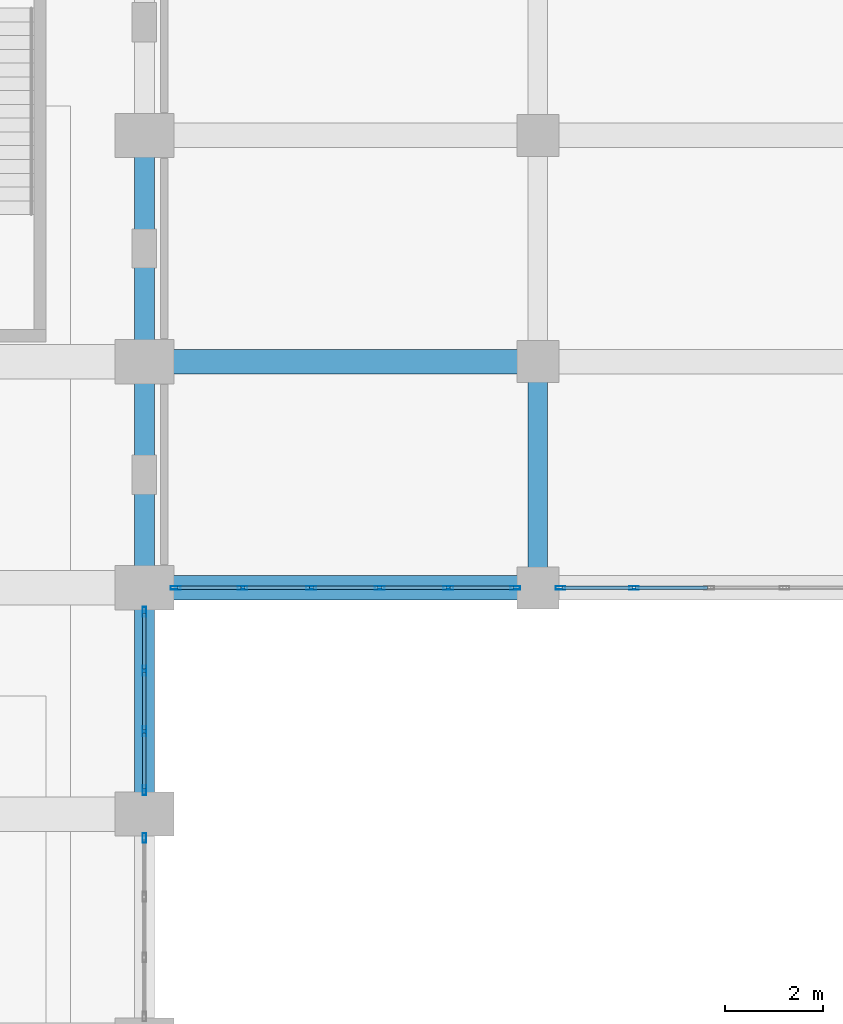
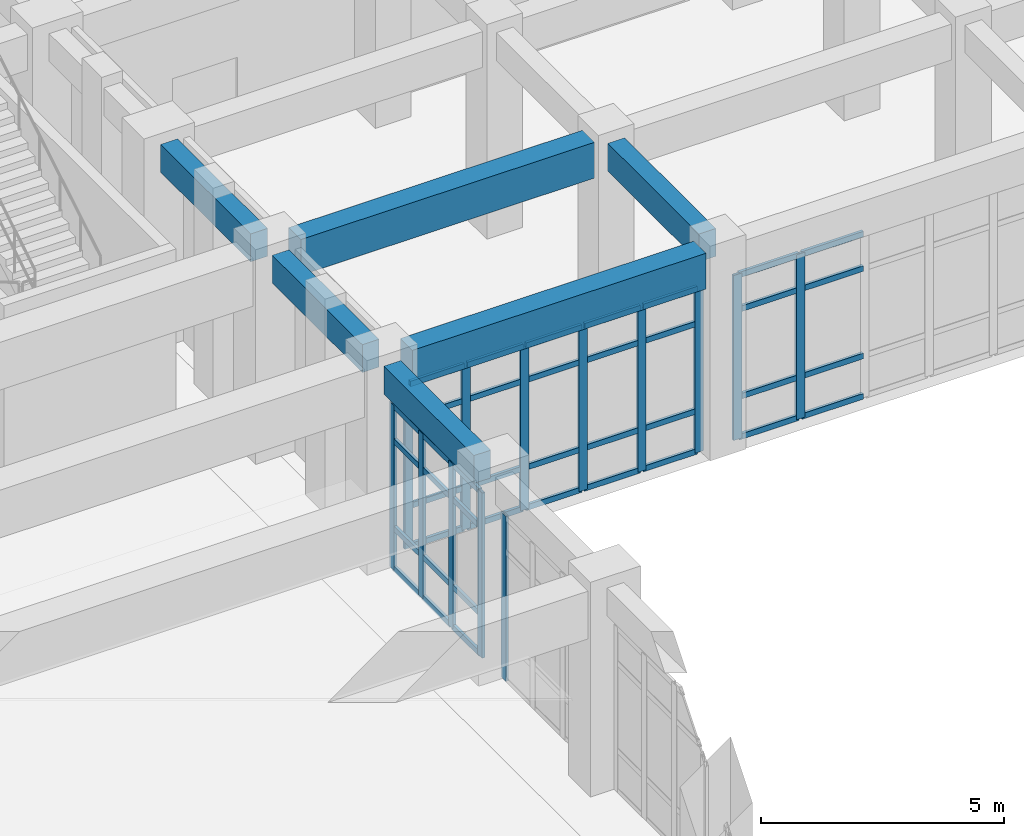
# One storey, part 42 of 84: 53 members, 6 beams, 4 elements without a shape of their own.
"""IFC4 building model written with IfcOpenShell, lengths in metres."""

from ifc_helpers import new_model, si_unit, direction, frame, origin, origin_2d, place, context, subcontext, project, spatial, rectangle, hollow_rectangle, extrude, material, layer, layer_set, material_profile, profile_set, type_object, element, aggregate, save


model = new_model("IFC4")

# Units and contexts
model_context = context("Model", 3, precision=1e-05, world=origin(), true_north=direction((0.0, 1.0)))
body_context = subcontext(model_context, "Body", "Model", "MODEL_VIEW")
ifc_project = project(units=[si_unit("LENGTHUNIT", "METRE"), si_unit("AREAUNIT", "SQUARE_METRE"), si_unit("VOLUMEUNIT", "CUBIC_METRE"), si_unit("PLANEANGLEUNIT", "RADIAN"), si_unit("MASSUNIT", "GRAM", prefix="KILO")], contexts=[model_context])

# Site, building, storey
site_placement = place(None, origin())
site = spatial("IfcSite", under=ifc_project, at=site_placement, CompositionType="ELEMENT")
building_placement = place(site_placement, origin())
building = spatial("IfcBuilding", under=site, at=building_placement, Name="Muzn Square Opera House", CompositionType="ELEMENT")
storey_placement = place(building_placement, origin())
storey = spatial("IfcBuildingStorey", under=building, at=storey_placement, Name="L00", CompositionType="ELEMENT", Elevation=0.0)

# Curtain wall, member
ifc_material_1 = material(Name="Low-E laminated acoustic double glazing", Category="glass")
ifc_layer_1 = layer(ifc_material_1, 0.159912109375, Name="Low-E laminated acoustic double glazing", Category="glass")
ifc_layer_set_1 = layer_set([ifc_layer_1], Name="Low-E laminated acoustic double glazing")
curtain_wall_type_1 = type_object("IfcCurtainWallType", Name="Glazed Curtain Wall EastVaultCourt 3700x4150", PredefinedType="USERDEFINED", material=ifc_layer_set_1)
curtain_wall_1_placement = place(storey_placement, origin())
curtain_wall_1 = element("IfcCurtainWall", 1, at=curtain_wall_1_placement, inside=storey, type_object=curtain_wall_type_1, Name="Glazed Curtain Wall CW-L00-036", ObjectType="GLAZED CURTAIN WALL", PredefinedType="USERDEFINED")
ifc_material_2 = material(Name="Anodised bronze aluminium 6063-T6", Category="metal")
ifc_material_profile_1 = material_profile(ifc_material_2, hollow_rectangle(XDim=0.070068359375, YDim=0.199951171875, WallThickness=0.0048828125, at=origin_2d()), Name="ALU 200x70x5", Category="metal")
ifc_profile_set_1 = profile_set([ifc_material_profile_1], Name="Anodised bronze aluminium 6063-T6")
member_type_1 = type_object("IfcMemberType", Name="Curtain Wall Mullion 200x70", PredefinedType="MULLION", material=ifc_profile_set_1)
member_1_placement = place(storey_placement, frame((133.0, 49.114990234375, 0.0), z_axis=(0.0, 0.0, 1.0), x_axis=(-1.0, 0.0, 0.0)))
member_1 = element("IfcMember", 2, at=member_1_placement, type_object=member_type_1, Name="CW-EVC-37x41 mullion 4", PredefinedType="MULLION", context=body_context, shape_type="SweptSolid", body=[
    extrude(hollow_rectangle(XDim=0.070068359375, YDim=0.199951171875, WallThickness=0.0048828125, at=origin_2d()), origin(), (0.0, 0.0, 1.0), 4.14990234375),
])
aggregate(curtain_wall_1, [member_1])

# Curtain wall, members
curtain_wall_2_placement = place(storey_placement, origin())
curtain_wall_2 = element("IfcCurtainWall", 3, at=curtain_wall_2_placement, inside=storey, type_object=curtain_wall_type_1, Name="Glazed Curtain Wall CW-L00-038", ObjectType="GLAZED CURTAIN WALL", PredefinedType="USERDEFINED")
member_2_placement = place(storey_placement, frame((133.0, 50.0849609375, 0.0), z_axis=(0.0, 0.0, 1.0), x_axis=(-1.0, 0.0, 0.0)))
member_2 = element("IfcMember", 4, at=member_2_placement, type_object=member_type_1, Name="CW-EVC-37x41 mullion 1", PredefinedType="MULLION", context=body_context, shape_type="SweptSolid", body=[
    extrude(hollow_rectangle(XDim=0.070068359375, YDim=0.199951171875, WallThickness=0.0048828125, at=origin_2d()), origin(), (0.0, 0.0, 1.0), 4.14990234375),
])
member_3_placement = place(storey_placement, frame((133.0, 51.283447265625, 0.0), z_axis=(0.0, 0.0, 1.0), x_axis=(-1.0, 0.0, 0.0)))
member_3 = element("IfcMember", 5, at=member_3_placement, type_object=member_type_1, Name="CW-EVC-37x41 mullion 2", PredefinedType="MULLION", context=body_context, shape_type="SweptSolid", body=[
    extrude(hollow_rectangle(XDim=0.070068359375, YDim=0.199951171875, WallThickness=0.0048828125, at=origin_2d()), origin(), (0.0, 0.0, 1.0), 4.14990234375),
])
member_4_placement = place(storey_placement, frame((133.0, 52.5166015625, 0.0), z_axis=(0.0, 0.0, 1.0), x_axis=(-1.0, 0.0, 0.0)))
member_4 = element("IfcMember", 6, at=member_4_placement, type_object=member_type_1, Name="CW-EVC-37x41 mullion 3", PredefinedType="MULLION", context=body_context, shape_type="SweptSolid", body=[
    extrude(hollow_rectangle(XDim=0.070068359375, YDim=0.199951171875, WallThickness=0.0048828125, at=origin_2d()), origin(), (0.0, 0.0, 1.0), 4.14990234375),
])
member_5_placement = place(storey_placement, frame((133.0, 53.715087890625, 0.0), z_axis=(0.0, 0.0, 1.0), x_axis=(-1.0, 0.0, 0.0)))
member_5 = element("IfcMember", 7, at=member_5_placement, type_object=member_type_1, Name="CW-EVC-37x41 mullion 4", PredefinedType="MULLION", context=body_context, shape_type="SweptSolid", body=[
    extrude(hollow_rectangle(XDim=0.070068359375, YDim=0.199951171875, WallThickness=0.0048828125, at=origin_2d()), origin(), (0.0, 0.0, 1.0), 4.14990234375),
])

ifc_layer_2 = layer(ifc_material_1, 0.159912109375, Name="Low-E laminated acoustic double glazing", Category="glass")
ifc_layer_set_2 = layer_set([ifc_layer_2], Name="Low-E laminated acoustic double glazing")
curtain_wall_type_2 = type_object("IfcCurtainWallType", Name="Glazed Curtain Wall EastCloisterN 6975x4150", PredefinedType="USERDEFINED", material=ifc_layer_set_2)
curtain_wall_3_placement = place(storey_placement, origin())
curtain_wall_3 = element("IfcCurtainWall", 8, at=curtain_wall_3_placement, inside=storey, type_object=curtain_wall_type_2, Name="Glazed Curtain Wall CW-L00-076", ObjectType="GLAZED CURTAIN WALL", PredefinedType="USERDEFINED")
member_6_placement = place(storey_placement, frame((133.635009765625, 54.199951171875, 0.0), z_axis=(0.0, 0.0, 1.0), x_axis=(0.0, 1.0, 0.0)))
member_6 = element("IfcMember", 9, at=member_6_placement, type_object=member_type_1, Name="CW-ECN-69x41 mullion 1", PredefinedType="MULLION", context=body_context, shape_type="SweptSolid", body=[
    extrude(hollow_rectangle(XDim=0.070068359375, YDim=0.199951171875, WallThickness=0.0048828125, at=origin_2d()), origin(), (0.0, 0.0, 1.0), 4.14990234375),
])
member_7_placement = place(storey_placement, frame((134.9951171875, 54.199951171875, 0.0), z_axis=(0.0, 0.0, 1.0), x_axis=(0.0, 1.0, 0.0)))
member_7 = element("IfcMember", 10, at=member_7_placement, type_object=member_type_1, Name="CW-ECN-69x41 mullion 2", PredefinedType="MULLION", context=body_context, shape_type="SweptSolid", body=[
    extrude(hollow_rectangle(XDim=0.070068359375, YDim=0.199951171875, WallThickness=0.0048828125, at=origin_2d()), origin(), (0.0, 0.0, 1.0), 4.14990234375),
])
member_8_placement = place(storey_placement, frame((136.389892578125, 54.199951171875, 0.0), z_axis=(0.0, 0.0, 1.0), x_axis=(0.0, 1.0, 0.0)))
member_8 = element("IfcMember", 11, at=member_8_placement, type_object=member_type_1, Name="CW-ECN-69x41 mullion 3", PredefinedType="MULLION", context=body_context, shape_type="SweptSolid", body=[
    extrude(hollow_rectangle(XDim=0.070068359375, YDim=0.199951171875, WallThickness=0.0048828125, at=origin_2d()), origin(), (0.0, 0.0, 1.0), 4.14990234375),
])
member_9_placement = place(storey_placement, frame((137.784912109375, 54.199951171875, 0.0), z_axis=(0.0, 0.0, 1.0), x_axis=(0.0, 1.0, 0.0)))
member_9 = element("IfcMember", 12, at=member_9_placement, type_object=member_type_1, Name="CW-ECN-69x41 mullion 4", PredefinedType="MULLION", context=body_context, shape_type="SweptSolid", body=[
    extrude(hollow_rectangle(XDim=0.070068359375, YDim=0.199951171875, WallThickness=0.0048828125, at=origin_2d()), origin(), (0.0, 0.0, 1.0), 4.14990234375),
])
member_10_placement = place(storey_placement, frame((139.179931640625, 54.199951171875, 0.0), z_axis=(0.0, 0.0, 1.0), x_axis=(0.0, 1.0, 0.0)))
member_10 = element("IfcMember", 13, at=member_10_placement, type_object=member_type_1, Name="CW-ECN-69x41 mullion 5", PredefinedType="MULLION", context=body_context, shape_type="SweptSolid", body=[
    extrude(hollow_rectangle(XDim=0.070068359375, YDim=0.199951171875, WallThickness=0.0048828125, at=origin_2d()), origin(), (0.0, 0.0, 1.0), 4.14990234375),
])
member_11_placement = place(storey_placement, frame((140.5400390625, 54.199951171875, 0.0), z_axis=(0.0, 0.0, 1.0), x_axis=(0.0, 1.0, 0.0)))
member_11 = element("IfcMember", 14, at=member_11_placement, type_object=member_type_1, Name="CW-ECN-69x41 mullion 6", PredefinedType="MULLION", context=body_context, shape_type="SweptSolid", body=[
    extrude(hollow_rectangle(XDim=0.070068359375, YDim=0.199951171875, WallThickness=0.0048828125, at=origin_2d()), origin(), (0.0, 0.0, 1.0), 4.14990234375),
])

ifc_layer_3 = layer(ifc_material_1, 0.159912109375, Name="Low-E laminated acoustic double glazing", Category="glass")
ifc_layer_set_3 = layer_set([ifc_layer_3], Name="Low-E laminated acoustic double glazing")
curtain_wall_type_3 = type_object("IfcCurtainWallType", Name="Glazed Curtain Wall EastCloisterN 7650x4150", PredefinedType="USERDEFINED", material=ifc_layer_set_3)
curtain_wall_4_placement = place(storey_placement, origin())
curtain_wall_4 = element("IfcCurtainWall", 15, at=curtain_wall_4_placement, inside=storey, type_object=curtain_wall_type_3, Name="Glazed Curtain Wall CW-L00-078", ObjectType="GLAZED CURTAIN WALL", PredefinedType="USERDEFINED")
member_12_placement = place(storey_placement, frame((141.4599609375, 54.199951171875, 0.0), z_axis=(0.0, 0.0, 1.0), x_axis=(0.0, 1.0, 0.0)))
member_12 = element("IfcMember", 16, at=member_12_placement, type_object=member_type_1, Name="CW-ECN-76x41 mullion 1", PredefinedType="MULLION", context=body_context, shape_type="SweptSolid", body=[
    extrude(hollow_rectangle(XDim=0.070068359375, YDim=0.199951171875, WallThickness=0.0048828125, at=origin_2d()), origin(), (0.0, 0.0, 1.0), 4.14990234375),
])
member_13_placement = place(storey_placement, frame((142.955078125, 54.199951171875, 0.0), z_axis=(0.0, 0.0, 1.0), x_axis=(0.0, 1.0, 0.0)))
member_13 = element("IfcMember", 17, at=member_13_placement, type_object=member_type_1, Name="CW-ECN-76x41 mullion 2", PredefinedType="MULLION", context=body_context, shape_type="SweptSolid", body=[
    extrude(hollow_rectangle(XDim=0.070068359375, YDim=0.199951171875, WallThickness=0.0048828125, at=origin_2d()), origin(), (0.0, 0.0, 1.0), 4.14990234375),
])

# Member
ifc_material_profile_2 = material_profile(ifc_material_2, hollow_rectangle(XDim=0.070068359375, YDim=0.139892578125, WallThickness=0.00390625, at=origin_2d()), Name="ALU 140x70x4", Category="metal")
ifc_profile_set_2 = profile_set([ifc_material_profile_2], Name="Anodised bronze aluminium 6063-T6")
member_type_2 = type_object("IfcMemberType", Name="Curtain Wall Transom 140x70", PredefinedType="USERDEFINED", material=ifc_profile_set_2)
member_14_placement = place(storey_placement, frame((133.0, 50.1201171875, 0.034912109375), z_axis=(0.0, 1.0, 0.0), x_axis=(-1.0, 0.0, 0.0)))
member_14 = element("IfcMember", 18, at=member_14_placement, type_object=member_type_2, Name="CW-EVC-37x41 transom 1.1", ObjectType="TRANSOM", PredefinedType="USERDEFINED", context=body_context, shape_type="SweptSolid", body=[
    extrude(hollow_rectangle(XDim=0.070068359375, YDim=0.139892578125, WallThickness=0.00390625, at=origin_2d()), origin(), (0.0, 0.0, 1.0), 1.128173828125),
])

member_15_placement = place(storey_placement, frame((133.0, 50.1201171875, 1.050048828125), z_axis=(0.0, 1.0, 0.0), x_axis=(-1.0, 0.0, 0.0)))
member_15 = element("IfcMember", 19, at=member_15_placement, type_object=member_type_2, Name="CW-EVC-37x41 transom 1.2", ObjectType="TRANSOM", PredefinedType="USERDEFINED", context=body_context, shape_type="SweptSolid", body=[
    extrude(hollow_rectangle(XDim=0.070068359375, YDim=0.139892578125, WallThickness=0.00390625, at=origin_2d()), origin(), (0.0, 0.0, 1.0), 1.128173828125),
])

member_16_placement = place(storey_placement, frame((133.0, 50.1201171875, 3.25), z_axis=(0.0, 1.0, 0.0), x_axis=(-1.0, 0.0, 0.0)))
member_16 = element("IfcMember", 20, at=member_16_placement, type_object=member_type_2, Name="CW-EVC-37x41 transom 1.3", ObjectType="TRANSOM", PredefinedType="USERDEFINED", context=body_context, shape_type="SweptSolid", body=[
    extrude(hollow_rectangle(XDim=0.070068359375, YDim=0.139892578125, WallThickness=0.00390625, at=origin_2d()), origin(), (0.0, 0.0, 1.0), 1.128173828125),
])

member_17_placement = place(storey_placement, frame((133.0, 50.1201171875, 4.114990234375), z_axis=(0.0, 1.0, 0.0), x_axis=(-1.0, 0.0, 0.0)))
member_17 = element("IfcMember", 21, at=member_17_placement, type_object=member_type_2, Name="CW-EVC-37x41 transom 1.4", ObjectType="TRANSOM", PredefinedType="USERDEFINED", context=body_context, shape_type="SweptSolid", body=[
    extrude(hollow_rectangle(XDim=0.070068359375, YDim=0.139892578125, WallThickness=0.00390625, at=origin_2d()), origin(), (0.0, 0.0, 1.0), 1.128173828125),
])

member_18_placement = place(storey_placement, frame((133.0, 51.318359375, 0.034912109375), z_axis=(0.0, 1.0, 0.0), x_axis=(-1.0, 0.0, 0.0)))
member_18 = element("IfcMember", 22, at=member_18_placement, type_object=member_type_2, Name="CW-EVC-37x41 transom 2.1", ObjectType="TRANSOM", PredefinedType="USERDEFINED", context=body_context, shape_type="SweptSolid", body=[
    extrude(hollow_rectangle(XDim=0.070068359375, YDim=0.139892578125, WallThickness=0.00390625, at=origin_2d()), origin(), (0.0, 0.0, 1.0), 1.163330078125),
])

member_19_placement = place(storey_placement, frame((133.0, 51.318359375, 1.050048828125), z_axis=(0.0, 1.0, 0.0), x_axis=(-1.0, 0.0, 0.0)))
member_19 = element("IfcMember", 23, at=member_19_placement, type_object=member_type_2, Name="CW-EVC-37x41 transom 2.2", ObjectType="TRANSOM", PredefinedType="USERDEFINED", context=body_context, shape_type="SweptSolid", body=[
    extrude(hollow_rectangle(XDim=0.070068359375, YDim=0.139892578125, WallThickness=0.00390625, at=origin_2d()), origin(), (0.0, 0.0, 1.0), 1.163330078125),
])

member_20_placement = place(storey_placement, frame((133.0, 51.318359375, 3.25), z_axis=(0.0, 1.0, 0.0), x_axis=(-1.0, 0.0, 0.0)))
member_20 = element("IfcMember", 24, at=member_20_placement, type_object=member_type_2, Name="CW-EVC-37x41 transom 2.3", ObjectType="TRANSOM", PredefinedType="USERDEFINED", context=body_context, shape_type="SweptSolid", body=[
    extrude(hollow_rectangle(XDim=0.070068359375, YDim=0.139892578125, WallThickness=0.00390625, at=origin_2d()), origin(), (0.0, 0.0, 1.0), 1.163330078125),
])

member_21_placement = place(storey_placement, frame((133.0, 51.318359375, 4.114990234375), z_axis=(0.0, 1.0, 0.0), x_axis=(-1.0, 0.0, 0.0)))
member_21 = element("IfcMember", 25, at=member_21_placement, type_object=member_type_2, Name="CW-EVC-37x41 transom 2.4", ObjectType="TRANSOM", PredefinedType="USERDEFINED", context=body_context, shape_type="SweptSolid", body=[
    extrude(hollow_rectangle(XDim=0.070068359375, YDim=0.139892578125, WallThickness=0.00390625, at=origin_2d()), origin(), (0.0, 0.0, 1.0), 1.163330078125),
])

member_22_placement = place(storey_placement, frame((133.0, 52.5517578125, 0.034912109375), z_axis=(0.0, 1.0, 0.0), x_axis=(-1.0, 0.0, 0.0)))
member_22 = element("IfcMember", 26, at=member_22_placement, type_object=member_type_2, Name="CW-EVC-37x41 transom 3.1", ObjectType="TRANSOM", PredefinedType="USERDEFINED", context=body_context, shape_type="SweptSolid", body=[
    extrude(hollow_rectangle(XDim=0.070068359375, YDim=0.139892578125, WallThickness=0.00390625, at=origin_2d()), origin(), (0.0, 0.0, 1.0), 1.128173828125),
])

member_23_placement = place(storey_placement, frame((133.0, 52.5517578125, 1.050048828125), z_axis=(0.0, 1.0, 0.0), x_axis=(-1.0, 0.0, 0.0)))
member_23 = element("IfcMember", 27, at=member_23_placement, type_object=member_type_2, Name="CW-EVC-37x41 transom 3.2", ObjectType="TRANSOM", PredefinedType="USERDEFINED", context=body_context, shape_type="SweptSolid", body=[
    extrude(hollow_rectangle(XDim=0.070068359375, YDim=0.139892578125, WallThickness=0.00390625, at=origin_2d()), origin(), (0.0, 0.0, 1.0), 1.128173828125),
])

member_24_placement = place(storey_placement, frame((133.0, 52.5517578125, 3.25), z_axis=(0.0, 1.0, 0.0), x_axis=(-1.0, 0.0, 0.0)))
member_24 = element("IfcMember", 28, at=member_24_placement, type_object=member_type_2, Name="CW-EVC-37x41 transom 3.3", ObjectType="TRANSOM", PredefinedType="USERDEFINED", context=body_context, shape_type="SweptSolid", body=[
    extrude(hollow_rectangle(XDim=0.070068359375, YDim=0.139892578125, WallThickness=0.00390625, at=origin_2d()), origin(), (0.0, 0.0, 1.0), 1.128173828125),
])

member_25_placement = place(storey_placement, frame((133.0, 52.5517578125, 4.114990234375), z_axis=(0.0, 1.0, 0.0), x_axis=(-1.0, 0.0, 0.0)))
member_25 = element("IfcMember", 29, at=member_25_placement, type_object=member_type_2, Name="CW-EVC-37x41 transom 3.4", ObjectType="TRANSOM", PredefinedType="USERDEFINED", context=body_context, shape_type="SweptSolid", body=[
    extrude(hollow_rectangle(XDim=0.070068359375, YDim=0.139892578125, WallThickness=0.00390625, at=origin_2d()), origin(), (0.0, 0.0, 1.0), 1.128173828125),
])

aggregate(curtain_wall_2, [member_2, member_3, member_4, member_5, member_14, member_15, member_16, member_17, member_18, member_19, member_20, member_21, member_22, member_23, member_24, member_25])

member_26_placement = place(storey_placement, frame((133.669921875, 54.199951171875, 0.034912109375), z_axis=(1.0, 0.0, 0.0), x_axis=(0.0, 1.0, 0.0)))
member_26 = element("IfcMember", 30, at=member_26_placement, type_object=member_type_2, Name="CW-ECN-69x41 transom 1.1", ObjectType="TRANSOM", PredefinedType="USERDEFINED", context=body_context, shape_type="SweptSolid", body=[
    extrude(hollow_rectangle(XDim=0.070068359375, YDim=0.139892578125, WallThickness=0.00390625, at=origin_2d()), origin(), (0.0, 0.0, 1.0), 1.2900390625),
])

member_27_placement = place(storey_placement, frame((133.669921875, 54.199951171875, 1.050048828125), z_axis=(1.0, 0.0, 0.0), x_axis=(0.0, 1.0, 0.0)))
member_27 = element("IfcMember", 31, at=member_27_placement, type_object=member_type_2, Name="CW-ECN-69x41 transom 1.2", ObjectType="TRANSOM", PredefinedType="USERDEFINED", context=body_context, shape_type="SweptSolid", body=[
    extrude(hollow_rectangle(XDim=0.070068359375, YDim=0.139892578125, WallThickness=0.00390625, at=origin_2d()), origin(), (0.0, 0.0, 1.0), 1.2900390625),
])

member_28_placement = place(storey_placement, frame((133.669921875, 54.199951171875, 3.25), z_axis=(1.0, 0.0, 0.0), x_axis=(0.0, 1.0, 0.0)))
member_28 = element("IfcMember", 32, at=member_28_placement, type_object=member_type_2, Name="CW-ECN-69x41 transom 1.3", ObjectType="TRANSOM", PredefinedType="USERDEFINED", context=body_context, shape_type="SweptSolid", body=[
    extrude(hollow_rectangle(XDim=0.070068359375, YDim=0.139892578125, WallThickness=0.00390625, at=origin_2d()), origin(), (0.0, 0.0, 1.0), 1.2900390625),
])

member_29_placement = place(storey_placement, frame((133.669921875, 54.199951171875, 4.114990234375), z_axis=(1.0, 0.0, 0.0), x_axis=(0.0, 1.0, 0.0)))
member_29 = element("IfcMember", 33, at=member_29_placement, type_object=member_type_2, Name="CW-ECN-69x41 transom 1.4", ObjectType="TRANSOM", PredefinedType="USERDEFINED", context=body_context, shape_type="SweptSolid", body=[
    extrude(hollow_rectangle(XDim=0.070068359375, YDim=0.139892578125, WallThickness=0.00390625, at=origin_2d()), origin(), (0.0, 0.0, 1.0), 1.2900390625),
])

member_30_placement = place(storey_placement, frame((135.030029296875, 54.199951171875, 0.034912109375), z_axis=(1.0, 0.0, 0.0), x_axis=(0.0, 1.0, 0.0)))
member_30 = element("IfcMember", 34, at=member_30_placement, type_object=member_type_2, Name="CW-ECN-69x41 transom 2.1", ObjectType="TRANSOM", PredefinedType="USERDEFINED", context=body_context, shape_type="SweptSolid", body=[
    extrude(hollow_rectangle(XDim=0.070068359375, YDim=0.139892578125, WallThickness=0.00390625, at=origin_2d()), origin(), (0.0, 0.0, 1.0), 1.324951171875),
])

member_31_placement = place(storey_placement, frame((135.030029296875, 54.199951171875, 1.050048828125), z_axis=(1.0, 0.0, 0.0), x_axis=(0.0, 1.0, 0.0)))
member_31 = element("IfcMember", 35, at=member_31_placement, type_object=member_type_2, Name="CW-ECN-69x41 transom 2.2", ObjectType="TRANSOM", PredefinedType="USERDEFINED", context=body_context, shape_type="SweptSolid", body=[
    extrude(hollow_rectangle(XDim=0.070068359375, YDim=0.139892578125, WallThickness=0.00390625, at=origin_2d()), origin(), (0.0, 0.0, 1.0), 1.324951171875),
])

member_32_placement = place(storey_placement, frame((135.030029296875, 54.199951171875, 3.25), z_axis=(1.0, 0.0, 0.0), x_axis=(0.0, 1.0, 0.0)))
member_32 = element("IfcMember", 36, at=member_32_placement, type_object=member_type_2, Name="CW-ECN-69x41 transom 2.3", ObjectType="TRANSOM", PredefinedType="USERDEFINED", context=body_context, shape_type="SweptSolid", body=[
    extrude(hollow_rectangle(XDim=0.070068359375, YDim=0.139892578125, WallThickness=0.00390625, at=origin_2d()), origin(), (0.0, 0.0, 1.0), 1.324951171875),
])

member_33_placement = place(storey_placement, frame((135.030029296875, 54.199951171875, 4.114990234375), z_axis=(1.0, 0.0, 0.0), x_axis=(0.0, 1.0, 0.0)))
member_33 = element("IfcMember", 37, at=member_33_placement, type_object=member_type_2, Name="CW-ECN-69x41 transom 2.4", ObjectType="TRANSOM", PredefinedType="USERDEFINED", context=body_context, shape_type="SweptSolid", body=[
    extrude(hollow_rectangle(XDim=0.070068359375, YDim=0.139892578125, WallThickness=0.00390625, at=origin_2d()), origin(), (0.0, 0.0, 1.0), 1.324951171875),
])

member_34_placement = place(storey_placement, frame((136.425048828125, 54.199951171875, 0.034912109375), z_axis=(1.0, 0.0, 0.0), x_axis=(0.0, 1.0, 0.0)))
member_34 = element("IfcMember", 38, at=member_34_placement, type_object=member_type_2, Name="CW-ECN-69x41 transom 3.1", ObjectType="TRANSOM", PredefinedType="USERDEFINED", context=body_context, shape_type="SweptSolid", body=[
    extrude(hollow_rectangle(XDim=0.070068359375, YDim=0.139892578125, WallThickness=0.00390625, at=origin_2d()), origin(), (0.0, 0.0, 1.0), 1.324951171875),
])

member_35_placement = place(storey_placement, frame((136.425048828125, 54.199951171875, 1.050048828125), z_axis=(1.0, 0.0, 0.0), x_axis=(0.0, 1.0, 0.0)))
member_35 = element("IfcMember", 39, at=member_35_placement, type_object=member_type_2, Name="CW-ECN-69x41 transom 3.2", ObjectType="TRANSOM", PredefinedType="USERDEFINED", context=body_context, shape_type="SweptSolid", body=[
    extrude(hollow_rectangle(XDim=0.070068359375, YDim=0.139892578125, WallThickness=0.00390625, at=origin_2d()), origin(), (0.0, 0.0, 1.0), 1.324951171875),
])

member_36_placement = place(storey_placement, frame((136.425048828125, 54.199951171875, 3.25), z_axis=(1.0, 0.0, 0.0), x_axis=(0.0, 1.0, 0.0)))
member_36 = element("IfcMember", 40, at=member_36_placement, type_object=member_type_2, Name="CW-ECN-69x41 transom 3.3", ObjectType="TRANSOM", PredefinedType="USERDEFINED", context=body_context, shape_type="SweptSolid", body=[
    extrude(hollow_rectangle(XDim=0.070068359375, YDim=0.139892578125, WallThickness=0.00390625, at=origin_2d()), origin(), (0.0, 0.0, 1.0), 1.324951171875),
])

member_37_placement = place(storey_placement, frame((136.425048828125, 54.199951171875, 4.114990234375), z_axis=(1.0, 0.0, 0.0), x_axis=(0.0, 1.0, 0.0)))
member_37 = element("IfcMember", 41, at=member_37_placement, type_object=member_type_2, Name="CW-ECN-69x41 transom 3.4", ObjectType="TRANSOM", PredefinedType="USERDEFINED", context=body_context, shape_type="SweptSolid", body=[
    extrude(hollow_rectangle(XDim=0.070068359375, YDim=0.139892578125, WallThickness=0.00390625, at=origin_2d()), origin(), (0.0, 0.0, 1.0), 1.324951171875),
])

member_38_placement = place(storey_placement, frame((137.820068359375, 54.199951171875, 0.034912109375), z_axis=(1.0, 0.0, 0.0), x_axis=(0.0, 1.0, 0.0)))
member_38 = element("IfcMember", 42, at=member_38_placement, type_object=member_type_2, Name="CW-ECN-69x41 transom 4.1", ObjectType="TRANSOM", PredefinedType="USERDEFINED", context=body_context, shape_type="SweptSolid", body=[
    extrude(hollow_rectangle(XDim=0.070068359375, YDim=0.139892578125, WallThickness=0.00390625, at=origin_2d()), origin(), (0.0, 0.0, 1.0), 1.324951171875),
])

member_39_placement = place(storey_placement, frame((137.820068359375, 54.199951171875, 1.050048828125), z_axis=(1.0, 0.0, 0.0), x_axis=(0.0, 1.0, 0.0)))
member_39 = element("IfcMember", 43, at=member_39_placement, type_object=member_type_2, Name="CW-ECN-69x41 transom 4.2", ObjectType="TRANSOM", PredefinedType="USERDEFINED", context=body_context, shape_type="SweptSolid", body=[
    extrude(hollow_rectangle(XDim=0.070068359375, YDim=0.139892578125, WallThickness=0.00390625, at=origin_2d()), origin(), (0.0, 0.0, 1.0), 1.324951171875),
])

member_40_placement = place(storey_placement, frame((137.820068359375, 54.199951171875, 3.25), z_axis=(1.0, 0.0, 0.0), x_axis=(0.0, 1.0, 0.0)))
member_40 = element("IfcMember", 44, at=member_40_placement, type_object=member_type_2, Name="CW-ECN-69x41 transom 4.3", ObjectType="TRANSOM", PredefinedType="USERDEFINED", context=body_context, shape_type="SweptSolid", body=[
    extrude(hollow_rectangle(XDim=0.070068359375, YDim=0.139892578125, WallThickness=0.00390625, at=origin_2d()), origin(), (0.0, 0.0, 1.0), 1.324951171875),
])

member_41_placement = place(storey_placement, frame((137.820068359375, 54.199951171875, 4.114990234375), z_axis=(1.0, 0.0, 0.0), x_axis=(0.0, 1.0, 0.0)))
member_41 = element("IfcMember", 45, at=member_41_placement, type_object=member_type_2, Name="CW-ECN-69x41 transom 4.4", ObjectType="TRANSOM", PredefinedType="USERDEFINED", context=body_context, shape_type="SweptSolid", body=[
    extrude(hollow_rectangle(XDim=0.070068359375, YDim=0.139892578125, WallThickness=0.00390625, at=origin_2d()), origin(), (0.0, 0.0, 1.0), 1.324951171875),
])

member_42_placement = place(storey_placement, frame((139.215087890625, 54.199951171875, 0.034912109375), z_axis=(1.0, 0.0, 0.0), x_axis=(0.0, 1.0, 0.0)))
member_42 = element("IfcMember", 46, at=member_42_placement, type_object=member_type_2, Name="CW-ECN-69x41 transom 5.1", ObjectType="TRANSOM", PredefinedType="USERDEFINED", context=body_context, shape_type="SweptSolid", body=[
    extrude(hollow_rectangle(XDim=0.070068359375, YDim=0.139892578125, WallThickness=0.00390625, at=origin_2d()), origin(), (0.0, 0.0, 1.0), 1.289794921875),
])

member_43_placement = place(storey_placement, frame((139.215087890625, 54.199951171875, 1.050048828125), z_axis=(1.0, 0.0, 0.0), x_axis=(0.0, 1.0, 0.0)))
member_43 = element("IfcMember", 47, at=member_43_placement, type_object=member_type_2, Name="CW-ECN-69x41 transom 5.2", ObjectType="TRANSOM", PredefinedType="USERDEFINED", context=body_context, shape_type="SweptSolid", body=[
    extrude(hollow_rectangle(XDim=0.070068359375, YDim=0.139892578125, WallThickness=0.00390625, at=origin_2d()), origin(), (0.0, 0.0, 1.0), 1.289794921875),
])

member_44_placement = place(storey_placement, frame((139.215087890625, 54.199951171875, 3.25), z_axis=(1.0, 0.0, 0.0), x_axis=(0.0, 1.0, 0.0)))
member_44 = element("IfcMember", 48, at=member_44_placement, type_object=member_type_2, Name="CW-ECN-69x41 transom 5.3", ObjectType="TRANSOM", PredefinedType="USERDEFINED", context=body_context, shape_type="SweptSolid", body=[
    extrude(hollow_rectangle(XDim=0.070068359375, YDim=0.139892578125, WallThickness=0.00390625, at=origin_2d()), origin(), (0.0, 0.0, 1.0), 1.289794921875),
])

member_45_placement = place(storey_placement, frame((139.215087890625, 54.199951171875, 4.114990234375), z_axis=(1.0, 0.0, 0.0), x_axis=(0.0, 1.0, 0.0)))
member_45 = element("IfcMember", 49, at=member_45_placement, type_object=member_type_2, Name="CW-ECN-69x41 transom 5.4", ObjectType="TRANSOM", PredefinedType="USERDEFINED", context=body_context, shape_type="SweptSolid", body=[
    extrude(hollow_rectangle(XDim=0.070068359375, YDim=0.139892578125, WallThickness=0.00390625, at=origin_2d()), origin(), (0.0, 0.0, 1.0), 1.289794921875),
])

aggregate(curtain_wall_3, [member_6, member_7, member_8, member_9, member_10, member_11, member_26, member_27, member_28, member_29, member_30, member_31, member_32, member_33, member_34, member_35, member_36, member_37, member_38, member_39, member_40, member_41, member_42, member_43, member_44, member_45])

member_46_placement = place(storey_placement, frame((141.4951171875, 54.199951171875, 0.034912109375), z_axis=(1.0, 0.0, 0.0), x_axis=(0.0, 1.0, 0.0)))
member_46 = element("IfcMember", 50, at=member_46_placement, type_object=member_type_2, Name="CW-ECN-76x41 transom 1.1", ObjectType="TRANSOM", PredefinedType="USERDEFINED", context=body_context, shape_type="SweptSolid", body=[
    extrude(hollow_rectangle(XDim=0.070068359375, YDim=0.139892578125, WallThickness=0.00390625, at=origin_2d()), origin(), (0.0, 0.0, 1.0), 1.4248046875),
])

member_47_placement = place(storey_placement, frame((141.4951171875, 54.199951171875, 1.050048828125), z_axis=(1.0, 0.0, 0.0), x_axis=(0.0, 1.0, 0.0)))
member_47 = element("IfcMember", 51, at=member_47_placement, type_object=member_type_2, Name="CW-ECN-76x41 transom 1.2", ObjectType="TRANSOM", PredefinedType="USERDEFINED", context=body_context, shape_type="SweptSolid", body=[
    extrude(hollow_rectangle(XDim=0.070068359375, YDim=0.139892578125, WallThickness=0.00390625, at=origin_2d()), origin(), (0.0, 0.0, 1.0), 1.4248046875),
])

member_48_placement = place(storey_placement, frame((141.4951171875, 54.199951171875, 3.25), z_axis=(1.0, 0.0, 0.0), x_axis=(0.0, 1.0, 0.0)))
member_48 = element("IfcMember", 52, at=member_48_placement, type_object=member_type_2, Name="CW-ECN-76x41 transom 1.3", ObjectType="TRANSOM", PredefinedType="USERDEFINED", context=body_context, shape_type="SweptSolid", body=[
    extrude(hollow_rectangle(XDim=0.070068359375, YDim=0.139892578125, WallThickness=0.00390625, at=origin_2d()), origin(), (0.0, 0.0, 1.0), 1.4248046875),
])

member_49_placement = place(storey_placement, frame((141.4951171875, 54.199951171875, 4.114990234375), z_axis=(1.0, 0.0, 0.0), x_axis=(0.0, 1.0, 0.0)))
member_49 = element("IfcMember", 53, at=member_49_placement, type_object=member_type_2, Name="CW-ECN-76x41 transom 1.4", ObjectType="TRANSOM", PredefinedType="USERDEFINED", context=body_context, shape_type="SweptSolid", body=[
    extrude(hollow_rectangle(XDim=0.070068359375, YDim=0.139892578125, WallThickness=0.00390625, at=origin_2d()), origin(), (0.0, 0.0, 1.0), 1.4248046875),
])

member_50_placement = place(storey_placement, frame((142.989990234375, 54.199951171875, 0.034912109375), z_axis=(1.0, 0.0, 0.0), x_axis=(0.0, 1.0, 0.0)))
member_50 = element("IfcMember", 54, at=member_50_placement, type_object=member_type_2, Name="CW-ECN-76x41 transom 2.1", ObjectType="TRANSOM", PredefinedType="USERDEFINED", context=body_context, shape_type="SweptSolid", body=[
    extrude(hollow_rectangle(XDim=0.070068359375, YDim=0.139892578125, WallThickness=0.00390625, at=origin_2d()), origin(), (0.0, 0.0, 1.0), 1.4599609375),
])

member_51_placement = place(storey_placement, frame((142.989990234375, 54.199951171875, 1.050048828125), z_axis=(1.0, 0.0, 0.0), x_axis=(0.0, 1.0, 0.0)))
member_51 = element("IfcMember", 55, at=member_51_placement, type_object=member_type_2, Name="CW-ECN-76x41 transom 2.2", ObjectType="TRANSOM", PredefinedType="USERDEFINED", context=body_context, shape_type="SweptSolid", body=[
    extrude(hollow_rectangle(XDim=0.070068359375, YDim=0.139892578125, WallThickness=0.00390625, at=origin_2d()), origin(), (0.0, 0.0, 1.0), 1.4599609375),
])

member_52_placement = place(storey_placement, frame((142.989990234375, 54.199951171875, 3.25), z_axis=(1.0, 0.0, 0.0), x_axis=(0.0, 1.0, 0.0)))
member_52 = element("IfcMember", 56, at=member_52_placement, type_object=member_type_2, Name="CW-ECN-76x41 transom 2.3", ObjectType="TRANSOM", PredefinedType="USERDEFINED", context=body_context, shape_type="SweptSolid", body=[
    extrude(hollow_rectangle(XDim=0.070068359375, YDim=0.139892578125, WallThickness=0.00390625, at=origin_2d()), origin(), (0.0, 0.0, 1.0), 1.4599609375),
])

member_53_placement = place(storey_placement, frame((142.989990234375, 54.199951171875, 4.114990234375), z_axis=(1.0, 0.0, 0.0), x_axis=(0.0, 1.0, 0.0)))
member_53 = element("IfcMember", 57, at=member_53_placement, type_object=member_type_2, Name="CW-ECN-76x41 transom 2.4", ObjectType="TRANSOM", PredefinedType="USERDEFINED", context=body_context, shape_type="SweptSolid", body=[
    extrude(hollow_rectangle(XDim=0.070068359375, YDim=0.139892578125, WallThickness=0.00390625, at=origin_2d()), origin(), (0.0, 0.0, 1.0), 1.4599609375),
])

aggregate(curtain_wall_4, [member_12, member_13, member_46, member_47, member_48, member_49, member_50, member_51, member_52, member_53])

# Beams
ifc_material_3 = material(Name="Concrete C40/50", Category="concrete")
ifc_material_profile_3 = material_profile(ifc_material_3, rectangle(XDim=0.39990234375, YDim=0.699951171875, at=origin_2d()), Name="RCB 400x700", Category="concrete")
ifc_profile_set_3 = profile_set([ifc_material_profile_3], Name="Concrete C40/50")
beam_type_1 = type_object("IfcBeamType", Name="Primary Girder 400x700", PredefinedType="BEAM", material=ifc_profile_set_3)
beam_1_placement = place(storey_placement, frame((133.0, 50.0419921875, 4.77001953125), z_axis=(0.0, 1.0, 0.0), x_axis=(-1.0, 0.0, 0.0)))
element("IfcBeam", 58, at=beam_1_placement, inside=storey, type_object=beam_type_1, Name="Primary Girder BM-L00-BM-PG700-1330_500_1330_538-1110", PredefinedType="BEAM", context=body_context, shape_type="SweptSolid", body=[
    extrude(rectangle(XDim=0.39990234375, YDim=0.699951171875, at=origin_2d()), origin(), (0.0, 0.0, 1.0), 3.716064453125),
])
beam_2_placement = place(storey_placement, frame((133.0, 54.64208984375, 4.77001953125), z_axis=(0.0, 1.0, 0.0), x_axis=(-1.0, 0.0, 0.0)))
element("IfcBeam", 59, at=beam_2_placement, inside=storey, type_object=beam_type_1, Name="Primary Girder BM-L00-BM-PG700-1330_546_1330_584-1111", PredefinedType="BEAM", context=body_context, shape_type="SweptSolid", body=[
    extrude(rectangle(XDim=0.39990234375, YDim=0.699951171875, at=origin_2d()), origin(), (0.0, 0.0, 1.0), 3.7158203125),
])
beam_3_placement = place(storey_placement, frame((133.0, 59.241943359375, 4.77001953125), z_axis=(0.0, 1.0, 0.0), x_axis=(-1.0, 0.0, 0.0)))
element("IfcBeam", 60, at=beam_3_placement, inside=storey, type_object=beam_type_1, Name="Primary Girder BM-L00-BM-PG700-1330_592_1330_630-1112", PredefinedType="BEAM", context=body_context, shape_type="SweptSolid", body=[
    extrude(rectangle(XDim=0.39990234375, YDim=0.699951171875, at=origin_2d()), origin(), (0.0, 0.0, 1.0), 3.716064453125),
])
beam_4_placement = place(storey_placement, frame((141.0, 54.616943359375, 4.77001953125), z_axis=(0.0, 1.0, 0.0), x_axis=(-1.0, 0.0, 0.0)))
element("IfcBeam", 61, at=beam_4_placement, inside=storey, type_object=beam_type_1, Name="Primary Girder BM-L00-BM-PG700-1410_546_1410_584-1123", PredefinedType="BEAM", context=body_context, shape_type="SweptSolid", body=[
    extrude(rectangle(XDim=0.39990234375, YDim=0.699951171875, at=origin_2d()), origin(), (0.0, 0.0, 1.0), 3.76611328125),
])
ifc_material_profile_4 = material_profile(ifc_material_3, rectangle(XDim=0.5, YDim=0.89990234375, at=origin_2d()), Name="RCB 500x900", Category="concrete")
ifc_profile_set_4 = profile_set([ifc_material_profile_4], Name="Concrete C40/50")
beam_type_2 = type_object("IfcBeamType", Name="Primary Girder 500x900", PredefinedType="BEAM", material=ifc_profile_set_4)
for number, where, z_axis, x_axis, name in (
    (62, (133.592041015625, 54.199951171875, 4.669921875), (1.0, 0.0, 0.0), (0.0, 1.0, 0.0), "Primary Girder BM-L00-BM-PG900-1336_542_1406_542-846"),
    (63, (133.592041015625, 58.800048828125, 4.669921875), (1.0, 0.0, 0.0), (0.0, 1.0, 0.0), "Primary Girder BM-L00-BM-PG900-1336_588_1406_588-858"),
):
    element("IfcBeam", number, at=place(storey_placement, frame(where, z_axis=z_axis, x_axis=x_axis)), inside=storey, type_object=beam_type_2, Name=name, PredefinedType="BEAM", context=body_context, shape_type="SweptSolid", body=[
        extrude(rectangle(XDim=0.5, YDim=0.89990234375, at=origin_2d()), origin(), (0.0, 0.0, 1.0), 6.990966796875),
    ])

save(model, "model.ifc")
